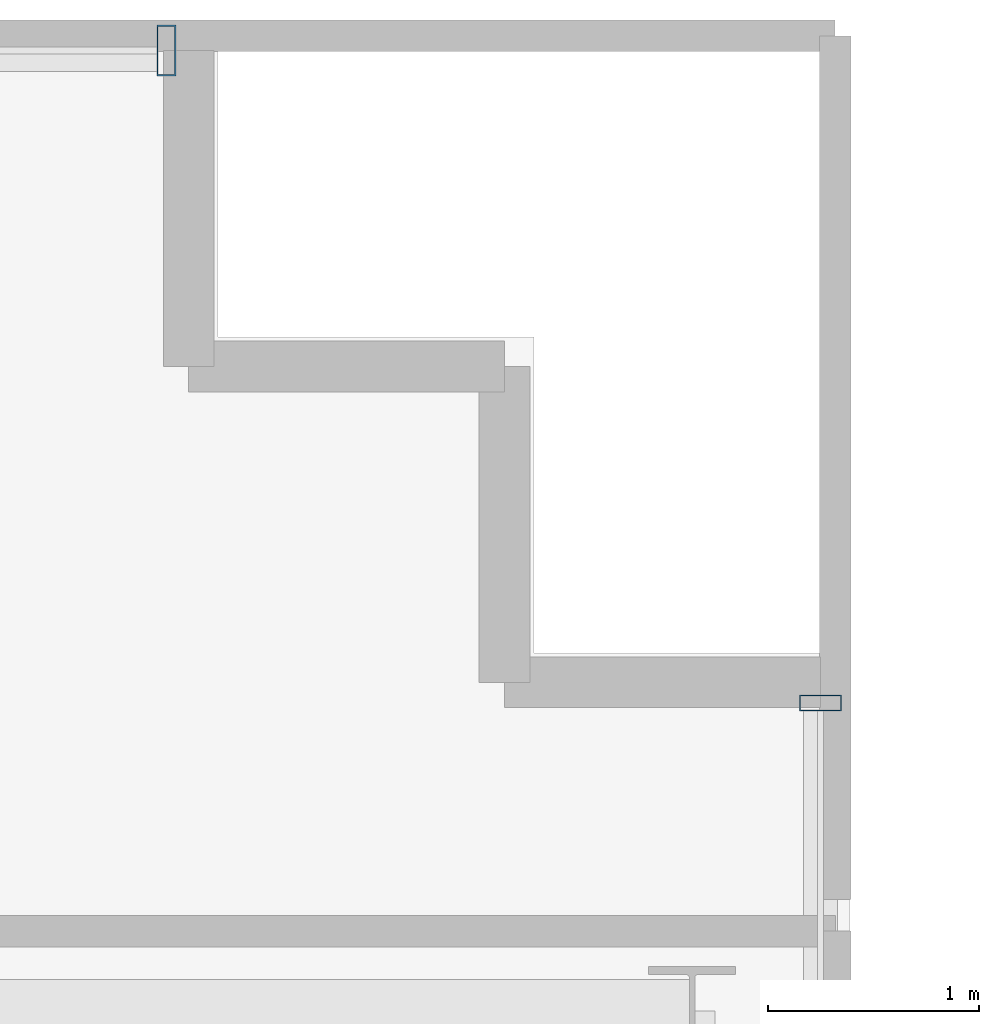
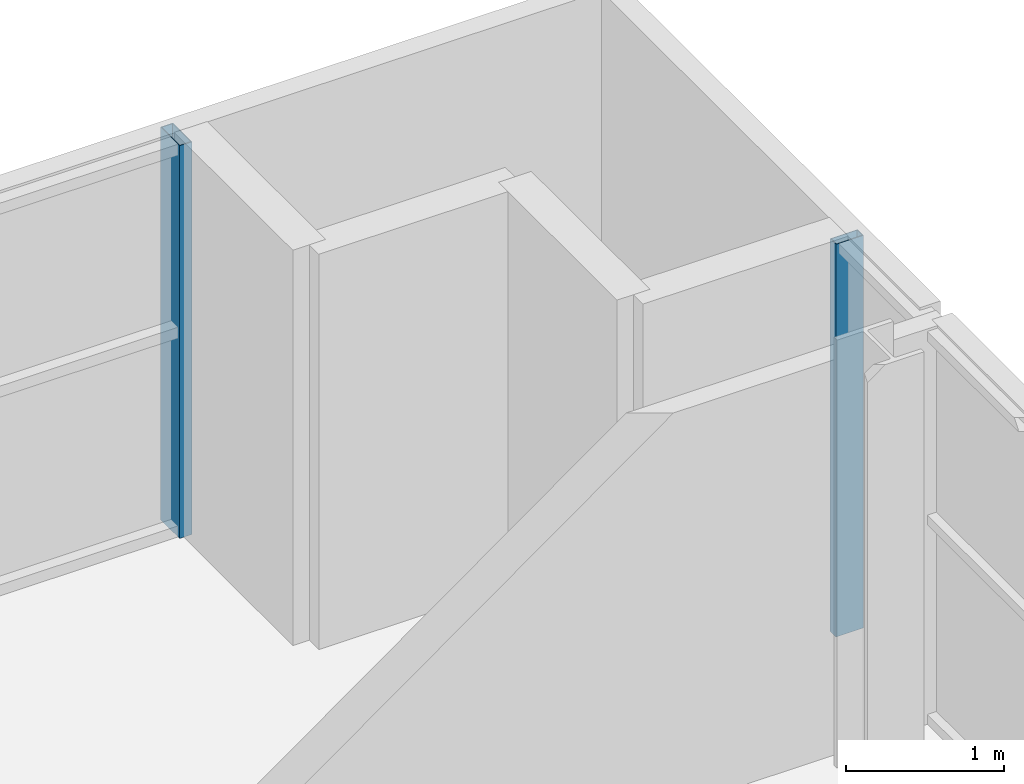
# One storey, part 17 of 27: 2 members, 2 elements without a shape of their own.
"""IFC4 building model written with IfcOpenShell, lengths in metres."""

import ifcopenshell
import ifcopenshell.guid

model = None  # the IFC model being written
_history = None  # IfcOwnerHistory: only IFC2X3 demands one
_inside = {}  # id of a spatial element -> (the spatial element, [elements in it])
_under = {}  # id of a project, library or spatial element -> (it, [spatial elements below it])
_declared = {}  # id of a project -> (the project, [libraries it declares])
_typed = {}  # id of a type object -> (the type object, [elements of that type])
_made_of = {}  # id of a material, layer set ... -> (it, [elements and type objects made of it])


def new_model(schema):
    """Start an empty IFC model of exactly this schema.

    Asked for "IFC4X3", IfcOpenShell would pick the latest addendum, in which some entities
    have other attributes; the version numbers below select the first issue.
    IFC2X3 requires an IfcOwnerHistory on every rooted entity: one is made here for all.
    """
    global model, _history
    if schema == "IFC4X3":
        model = ifcopenshell.file(schema_version=(4, 3, 0, 0))
    else:
        model = ifcopenshell.file(schema=schema)
    _inside.clear()
    _under.clear()
    _declared.clear()
    _typed.clear()
    _made_of.clear()
    _history = None
    if model.schema == "IFC2X3":
        org = make("IfcOrganization", Name="unknown")
        user = make(
            "IfcPersonAndOrganization",
            ThePerson=make("IfcPerson", FamilyName="unknown"),
            TheOrganization=org,
        )
        app = make(
            "IfcApplication",
            ApplicationDeveloper=org,
            Version="unknown",
            ApplicationFullName="unknown",
            ApplicationIdentifier="unknown",
        )
        _history = make(
            "IfcOwnerHistory",
            OwningUser=user,
            OwningApplication=app,
            ChangeAction="ADDED",
            CreationDate=0,
        )
    return model


def make(cls, **values):
    """One entity of the class cls with the attributes given. An attribute that is None is left unset."""
    return model.create_entity(
        cls, **{name: value for name, value in values.items() if value is not None}
    )


def rooted(cls, **values):
    """An entity with a GlobalId (a new one), such as an element, a storey or a relation."""
    return make(cls, GlobalId=ifcopenshell.guid.new(), OwnerHistory=_history, **values)


def si_unit(unit_type, name, prefix=None):
    """IfcSIUnit, for example si_unit("LENGTHUNIT", "METRE", prefix="MILLI")."""
    return make("IfcSIUnit", UnitType=unit_type, Prefix=prefix, Name=name)


def assignment(units):
    """IfcUnitAssignment: the units of a project."""
    return None if units is None else make("IfcUnitAssignment", Units=units)


def point(xyz):
    """IfcCartesianPoint."""
    return None if xyz is None else make("IfcCartesianPoint", Coordinates=xyz)


def direction(xyz):
    """IfcDirection."""
    return None if xyz is None else make("IfcDirection", DirectionRatios=xyz)


def frame(location, z_axis=None, x_axis=None):
    """IfcAxis2Placement3D, a coordinate frame: its origin and axes. An axis left out is left unset."""
    return make(
        "IfcAxis2Placement3D",
        Location=point(location),
        Axis=direction(z_axis),
        RefDirection=direction(x_axis),
    )


def frame_2d(location, x_axis=None):
    """IfcAxis2Placement2D, a coordinate frame in the plane: its origin and x axis."""
    return make(
        "IfcAxis2Placement2D", Location=point(location), RefDirection=direction(x_axis)
    )


def origin():
    """The frame at (0, 0, 0) with its axes left unset."""
    return frame((0.0, 0.0, 0.0))


def origin_2d():
    """The frame at (0, 0) in the plane with its x axis left unset."""
    return frame_2d((0.0, 0.0))


def place(relative_to, where):
    """IfcLocalPlacement: puts the frame where relative to a parent placement (None: the world)."""
    return make(
        "IfcLocalPlacement", PlacementRelTo=relative_to, RelativePlacement=where
    )


def context(
    kind, dimensions, precision=None, world=None, true_north=None, identifier=None
):
    """IfcGeometricRepresentationContext, for example the 3D "Model" context."""
    return make(
        "IfcGeometricRepresentationContext",
        ContextIdentifier=identifier,
        ContextType=kind,
        CoordinateSpaceDimension=dimensions,
        Precision=precision,
        WorldCoordinateSystem=world,
        TrueNorth=true_north,
    )


def subcontext(parent, identifier, kind, view, scale=None):
    """IfcGeometricRepresentationSubContext, for example "Body" below "Model"."""
    return make(
        "IfcGeometricRepresentationSubContext",
        ContextIdentifier=identifier,
        ContextType=kind,
        ParentContext=parent,
        TargetScale=scale,
        TargetView=view,
    )


def project(units=None, contexts=None):
    """IfcProject with its units and contexts."""
    return rooted(
        "IfcProject",
        Name="project",
        RepresentationContexts=contexts,
        UnitsInContext=assignment(units),
    )


def spatial(cls, under=None, at=None, **own):
    """A site, building, storey or space (cls), placed at a placement, below another one or the project."""
    s = rooted(cls, ObjectPlacement=at, **own)
    if under is not None:
        _under.setdefault(under.id(), (under, []))[1].append(s)
    return s


def profile(cls, at=None, kind="AREA", **sizes):
    """A parametric profile (cls). Its sizes go by their IFC names, for example OverallWidth=200.0."""
    return make(cls, ProfileType=kind, Position=at, **sizes)


def hollow_rectangle(**sizes):
    """IfcRectangleHollowProfileDef."""
    return profile("IfcRectangleHollowProfileDef", **sizes)


def extrude(swept, where, along, depth):
    """IfcExtrudedAreaSolid: the profile swept, set in the frame where, extruded along a direction by depth."""
    return make(
        "IfcExtrudedAreaSolid",
        SweptArea=swept,
        Position=where,
        ExtrudedDirection=direction(along),
        Depth=depth,
    )


def shape(context_of_items, identifier, shape_type, items):
    """IfcShapeRepresentation: the items that make up one representation, for example the "Body"."""
    return make(
        "IfcShapeRepresentation",
        ContextOfItems=context_of_items,
        RepresentationIdentifier=identifier,
        RepresentationType=shape_type,
        Items=items,
    )


def source(mapping_origin, context_of_items, identifier, shape_type, items):
    """IfcRepresentationMap: a shape defined once, which mapped items show again and again."""
    return make(
        "IfcRepresentationMap",
        MappingOrigin=mapping_origin,
        MappedRepresentation=shape(context_of_items, identifier, shape_type, items),
    )


def transform(
    local_origin,
    x_axis=None,
    y_axis=None,
    z_axis=None,
    scale=None,
    scale2=None,
    scale3=None,
    uniform=True,
):
    """IfcCartesianTransformationOperator3D, or its non-uniform kind. x_axis, y_axis, z_axis: its Axis1, 2, 3."""
    if uniform:
        return make(
            "IfcCartesianTransformationOperator3D",
            Axis1=direction(x_axis),
            Axis2=direction(y_axis),
            LocalOrigin=point(local_origin),
            Scale=scale,
            Axis3=direction(z_axis),
        )
    return make(
        "IfcCartesianTransformationOperator3DnonUniform",
        Axis1=direction(x_axis),
        Axis2=direction(y_axis),
        LocalOrigin=point(local_origin),
        Scale=scale,
        Axis3=direction(z_axis),
        Scale2=scale2,
        Scale3=scale3,
    )


def mapped(mapping_source, mapping_target):
    """IfcMappedItem: shows the shape of a source again, moved by a transform."""
    return make(
        "IfcMappedItem", MappingSource=mapping_source, MappingTarget=mapping_target
    )


def material(Name=None, Category=None):
    """IfcMaterial."""
    return make("IfcMaterial", Name=Name, Category=Category)


def layer(
    of_material, thickness, ventilated=None, Name=None, Category=None, Priority=None
):
    """IfcMaterialLayer: one layer of a wall or slab, of a material (None: an air gap)."""
    return make(
        "IfcMaterialLayer",
        Material=of_material,
        LayerThickness=thickness,
        IsVentilated=ventilated,
        Name=Name,
        Category=Category,
        Priority=Priority,
    )


def layer_set(layers, Name=None):
    """IfcMaterialLayerSet."""
    return make("IfcMaterialLayerSet", MaterialLayers=layers, LayerSetName=Name)


def material_profile(
    of_material, cross_section, Name=None, Category=None, Priority=None
):
    """IfcMaterialProfile: a cross section and its material."""
    return make(
        "IfcMaterialProfile",
        Name=Name,
        Material=of_material,
        Profile=cross_section,
        Priority=Priority,
        Category=Category,
    )


def profile_set(profiles, Name=None, composite=None):
    """IfcMaterialProfileSet."""
    return make(
        "IfcMaterialProfileSet",
        Name=Name,
        MaterialProfiles=profiles,
        CompositeProfile=composite,
    )


def made_of(thing, what):
    """Note that an element or type object is made of a material, layer set ...; save() writes the relation."""
    if what is not None:
        _made_of.setdefault(what.id(), (what, []))[1].append(thing)
    return thing


def type_object(cls, material=None, **own):
    """A type object (cls), such as IfcWallType, which elements share."""
    return made_of(rooted(cls, **own), material)


def element(
    cls,
    number,
    at=None,
    inside=None,
    cuts=None,
    type_object=None,
    material=None,
    context=None,
    identifier="Body",
    shape_type=None,
    held_by="IfcProductDefinitionShape",
    body=None,
    shapes=None,
    **own,
):
    """One element of the class cls, such as IfcWall. Its Tag is "e" and its number.

    at: its placement. inside: the storey or other place that contains it. cuts: it is an
    opening in that element (IfcRelVoidsElement). A single representation is given by context,
    identifier, shape_type and body (its items); several are given by shapes. held_by: the class
    of the entity that holds the representations. save() writes the other relations.
    """
    e = rooted(cls, Tag="e%d" % number, ObjectPlacement=at, **own)
    if body is not None:
        shapes = [shape(context, identifier, shape_type, body)]
    if shapes is not None:
        e.Representation = make(held_by, Representations=shapes)
    if inside is not None:
        _inside.setdefault(inside.id(), (inside, []))[1].append(e)
    if cuts is not None:
        rooted(
            "IfcRelVoidsElement", RelatingBuildingElement=cuts, RelatedOpeningElement=e
        )
    if type_object is not None:
        _typed.setdefault(type_object.id(), (type_object, []))[1].append(e)
    return made_of(e, material)


def aggregate(whole, parts):
    """IfcRelAggregates: a whole, such as a stair, and the parts it consists of."""
    return rooted("IfcRelAggregates", RelatingObject=whole, RelatedObjects=parts)


def save(model, path):
    """Write the relations noted so far, then the file.

    IfcRelAggregates (storeys below a building ...), IfcRelContainedInSpatialStructure (elements
    in a storey), IfcRelDefinesByType, IfcRelAssociatesMaterial and IfcRelDeclares: one each for
    every whole, place, type object, material and project.
    """
    for whole, parts in _under.values():
        aggregate(whole, parts)
    for where, things in _inside.values():
        rooted(
            "IfcRelContainedInSpatialStructure",
            RelatedElements=things,
            RelatingStructure=where,
        )
    for kind, things in _typed.values():
        rooted("IfcRelDefinesByType", RelatedObjects=things, RelatingType=kind)
    for what, things in _made_of.values():
        rooted("IfcRelAssociatesMaterial", RelatedObjects=things, RelatingMaterial=what)
    for by, libraries in _declared.values():
        rooted("IfcRelDeclares", RelatingContext=by, RelatedDefinitions=libraries)
    model.write(path)


model = new_model("IFC4")

# Units and contexts
model_context = context("Model", 3, precision=1e-05, world=origin(), true_north=direction((0.0, 1.0)))
body_context = subcontext(model_context, "Body", "Model", "MODEL_VIEW")
ifc_project = project(units=[si_unit("LENGTHUNIT", "METRE"), si_unit("AREAUNIT", "SQUARE_METRE"), si_unit("VOLUMEUNIT", "CUBIC_METRE"), si_unit("PLANEANGLEUNIT", "RADIAN"), si_unit("MASSUNIT", "GRAM", prefix="KILO")], contexts=[model_context])

# Site, building, storey
site_placement = place(None, origin())
site = spatial("IfcSite", under=ifc_project, at=site_placement, CompositionType="ELEMENT")
building_placement = place(site_placement, origin())
building = spatial("IfcBuilding", under=site, at=building_placement, Name="Zarnakvel Exchange Tower", CompositionType="ELEMENT")
storey_placement = place(building_placement, frame((0.0, 0.0, 76.89990234375)))
storey = spatial("IfcBuildingStorey", under=building, at=storey_placement, Name="L21", CompositionType="ELEMENT", Elevation=76.89990234375)

# Curtain wall, member
ifc_material = material(Name="Architectural Bronze Anodised Aluminium", Category="aluminium")
ifc_layer_1 = layer(ifc_material, 0.239990234375)
ifc_layer_set_1 = layer_set([ifc_layer_1], Name="Architectural Bronze Anodised Aluminium")
curtain_wall_type_1 = type_object("IfcCurtainWallType", Name="CW-02", PredefinedType="NOTDEFINED", material=ifc_layer_set_1)
curtain_wall_1_placement = place(storey_placement, origin())
curtain_wall_1 = element("IfcCurtainWall", 1, at=curtain_wall_1_placement, inside=storey, type_object=curtain_wall_type_1, Name="L21 Curtain Wall CW-L21-N1 (CW-02)", PredefinedType="NOTDEFINED")
ifc_material_profile_1 = material_profile(ifc_material, hollow_rectangle(XDim=0.239990234375, YDim=0.090087890625, WallThickness=0.006103515625, at=origin_2d()))
ifc_profile_set_1 = profile_set([ifc_material_profile_1], Name="Architectural Bronze Anodised Aluminium")
member_type_1 = type_object("IfcMemberType", Name="CWM-02", PredefinedType="MULLION", material=ifc_profile_set_1)
shared_shape_1 = source(origin(), body_context, "Body", "SweptSolid", [
    extrude(hollow_rectangle(XDim=0.239990234375, YDim=0.090087890625, WallThickness=0.006103515625, at=origin_2d()), origin(), (0.0, 0.0, 1.0), 3.030029296875),
])
member_1_placement = place(storey_placement, frame((29.35498046875, 18.06005859375, 0.0), z_axis=(0.0, 0.0, 1.0), x_axis=(0.0, 1.0, 0.0)))
member_1 = element("IfcMember", 2, at=member_1_placement, type_object=member_type_1, Name="CW-02 mullion 8", PredefinedType="MULLION", context=body_context, shape_type="MappedRepresentation", body=[
    mapped(shared_shape_1, transform((0.0, 0.0, 0.0), x_axis=(1.0, 0.0, 0.0), y_axis=(0.0, 1.0, 0.0), z_axis=(0.0, 0.0, 1.0), scale=1.0)),
])
aggregate(curtain_wall_1, [member_1])

ifc_layer_2 = layer(ifc_material, 0.199951171875)
ifc_layer_set_2 = layer_set([ifc_layer_2], Name="Architectural Bronze Anodised Aluminium")
curtain_wall_type_2 = type_object("IfcCurtainWallType", Name="CW-04", PredefinedType="NOTDEFINED", material=ifc_layer_set_2)
curtain_wall_2_placement = place(storey_placement, origin())
curtain_wall_2 = element("IfcCurtainWall", 3, at=curtain_wall_2_placement, inside=storey, type_object=curtain_wall_type_2, Name="L21 Curtain Wall CW-L21-EN (CW-04)", PredefinedType="NOTDEFINED")
ifc_material_profile_2 = material_profile(ifc_material, hollow_rectangle(XDim=0.199951171875, YDim=0.074951171875, WallThickness=0.0048828125, at=origin_2d()))
ifc_profile_set_2 = profile_set([ifc_material_profile_2], Name="Architectural Bronze Anodised Aluminium")
member_type_2 = type_object("IfcMemberType", Name="CWM-04", PredefinedType="MULLION", material=ifc_profile_set_2)
shared_shape_2 = source(origin(), body_context, "Body", "SweptSolid", [
    extrude(hollow_rectangle(XDim=0.199951171875, YDim=0.074951171875, WallThickness=0.0048828125, at=origin_2d()), origin(), (0.0, 0.0, 1.0), 3.030029296875),
])
member_2_placement = place(storey_placement, frame((32.4599609375, 14.96240234375, 0.0), z_axis=(0.0, 0.0, 1.0), x_axis=(-1.0, 0.0, 0.0)))
member_2 = element("IfcMember", 4, at=member_2_placement, type_object=member_type_2, Name="CW-04 mullion 3", PredefinedType="MULLION", context=body_context, shape_type="MappedRepresentation", body=[
    mapped(shared_shape_2, transform((0.0, 0.0, 0.0), x_axis=(1.0, 0.0, 0.0), y_axis=(0.0, 1.0, 0.0), z_axis=(0.0, 0.0, 1.0), scale=1.0)),
])
aggregate(curtain_wall_2, [member_2])

save(model, "model.ifc")
